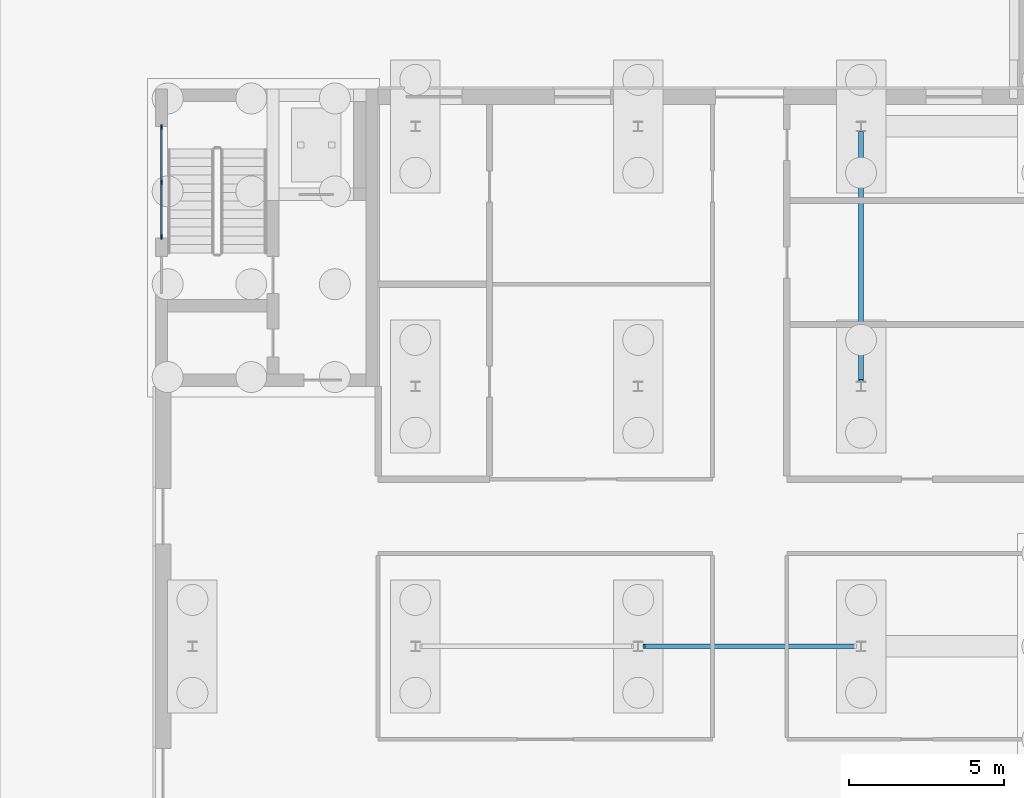
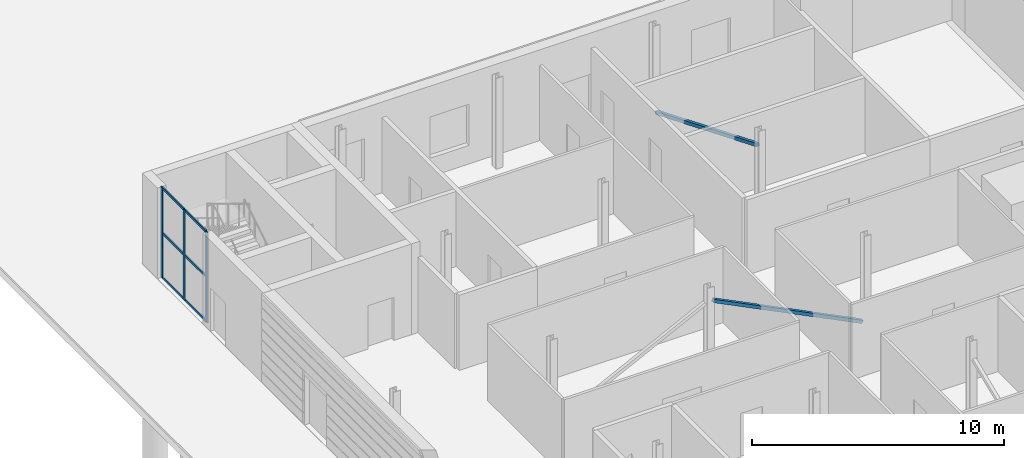
# One storey, part 25 of 139: 11 members, 1 element without a shape of its own.
"""IFC4 building model written with IfcOpenShell, lengths in metres."""

import ifcopenshell
import ifcopenshell.guid

model = None  # the IFC model being written
_history = None  # IfcOwnerHistory: only IFC2X3 demands one
_inside = {}  # id of a spatial element -> (the spatial element, [elements in it])
_under = {}  # id of a project, library or spatial element -> (it, [spatial elements below it])
_declared = {}  # id of a project -> (the project, [libraries it declares])
_typed = {}  # id of a type object -> (the type object, [elements of that type])
_made_of = {}  # id of a material, layer set ... -> (it, [elements and type objects made of it])


def new_model(schema):
    """Start an empty IFC model of exactly this schema.

    Asked for "IFC4X3", IfcOpenShell would pick the latest addendum, in which some entities
    have other attributes; the version numbers below select the first issue.
    IFC2X3 requires an IfcOwnerHistory on every rooted entity: one is made here for all.
    """
    global model, _history
    if schema == "IFC4X3":
        model = ifcopenshell.file(schema_version=(4, 3, 0, 0))
    else:
        model = ifcopenshell.file(schema=schema)
    _inside.clear()
    _under.clear()
    _declared.clear()
    _typed.clear()
    _made_of.clear()
    _history = None
    if model.schema == "IFC2X3":
        org = make("IfcOrganization", Name="unknown")
        user = make(
            "IfcPersonAndOrganization",
            ThePerson=make("IfcPerson", FamilyName="unknown"),
            TheOrganization=org,
        )
        app = make(
            "IfcApplication",
            ApplicationDeveloper=org,
            Version="unknown",
            ApplicationFullName="unknown",
            ApplicationIdentifier="unknown",
        )
        _history = make(
            "IfcOwnerHistory",
            OwningUser=user,
            OwningApplication=app,
            ChangeAction="ADDED",
            CreationDate=0,
        )
    return model


def make(cls, **values):
    """One entity of the class cls with the attributes given. An attribute that is None is left unset."""
    return model.create_entity(
        cls, **{name: value for name, value in values.items() if value is not None}
    )


def rooted(cls, **values):
    """An entity with a GlobalId (a new one), such as an element, a storey or a relation."""
    return make(cls, GlobalId=ifcopenshell.guid.new(), OwnerHistory=_history, **values)


def si_unit(unit_type, name, prefix=None):
    """IfcSIUnit, for example si_unit("LENGTHUNIT", "METRE", prefix="MILLI")."""
    return make("IfcSIUnit", UnitType=unit_type, Prefix=prefix, Name=name)


def assignment(units):
    """IfcUnitAssignment: the units of a project."""
    return None if units is None else make("IfcUnitAssignment", Units=units)


def point(xyz):
    """IfcCartesianPoint."""
    return None if xyz is None else make("IfcCartesianPoint", Coordinates=xyz)


def direction(xyz):
    """IfcDirection."""
    return None if xyz is None else make("IfcDirection", DirectionRatios=xyz)


def frame(location, z_axis=None, x_axis=None):
    """IfcAxis2Placement3D, a coordinate frame: its origin and axes. An axis left out is left unset."""
    return make(
        "IfcAxis2Placement3D",
        Location=point(location),
        Axis=direction(z_axis),
        RefDirection=direction(x_axis),
    )


def frame_2d(location, x_axis=None):
    """IfcAxis2Placement2D, a coordinate frame in the plane: its origin and x axis."""
    return make(
        "IfcAxis2Placement2D", Location=point(location), RefDirection=direction(x_axis)
    )


def origin():
    """The frame at (0, 0, 0) with its axes left unset."""
    return frame((0.0, 0.0, 0.0))


def origin_2d():
    """The frame at (0, 0) in the plane with its x axis left unset."""
    return frame_2d((0.0, 0.0))


def place(relative_to, where):
    """IfcLocalPlacement: puts the frame where relative to a parent placement (None: the world)."""
    return make(
        "IfcLocalPlacement", PlacementRelTo=relative_to, RelativePlacement=where
    )


def context(
    kind, dimensions, precision=None, world=None, true_north=None, identifier=None
):
    """IfcGeometricRepresentationContext, for example the 3D "Model" context."""
    return make(
        "IfcGeometricRepresentationContext",
        ContextIdentifier=identifier,
        ContextType=kind,
        CoordinateSpaceDimension=dimensions,
        Precision=precision,
        WorldCoordinateSystem=world,
        TrueNorth=true_north,
    )


def subcontext(parent, identifier, kind, view, scale=None):
    """IfcGeometricRepresentationSubContext, for example "Body" below "Model"."""
    return make(
        "IfcGeometricRepresentationSubContext",
        ContextIdentifier=identifier,
        ContextType=kind,
        ParentContext=parent,
        TargetScale=scale,
        TargetView=view,
    )


def project(units=None, contexts=None):
    """IfcProject with its units and contexts."""
    return rooted(
        "IfcProject",
        Name="project",
        RepresentationContexts=contexts,
        UnitsInContext=assignment(units),
    )


def spatial(cls, under=None, at=None, **own):
    """A site, building, storey or space (cls), placed at a placement, below another one or the project."""
    s = rooted(cls, ObjectPlacement=at, **own)
    if under is not None:
        _under.setdefault(under.id(), (under, []))[1].append(s)
    return s


def profile(cls, at=None, kind="AREA", **sizes):
    """A parametric profile (cls). Its sizes go by their IFC names, for example OverallWidth=200.0."""
    return make(cls, ProfileType=kind, Position=at, **sizes)


def rectangle(**sizes):
    """IfcRectangleProfileDef."""
    return profile("IfcRectangleProfileDef", **sizes)


def hollow_rectangle(**sizes):
    """IfcRectangleHollowProfileDef."""
    return profile("IfcRectangleHollowProfileDef", **sizes)


def extrude(swept, where, along, depth):
    """IfcExtrudedAreaSolid: the profile swept, set in the frame where, extruded along a direction by depth."""
    return make(
        "IfcExtrudedAreaSolid",
        SweptArea=swept,
        Position=where,
        ExtrudedDirection=direction(along),
        Depth=depth,
    )


def shape(context_of_items, identifier, shape_type, items):
    """IfcShapeRepresentation: the items that make up one representation, for example the "Body"."""
    return make(
        "IfcShapeRepresentation",
        ContextOfItems=context_of_items,
        RepresentationIdentifier=identifier,
        RepresentationType=shape_type,
        Items=items,
    )


def material(Name=None, Category=None):
    """IfcMaterial."""
    return make("IfcMaterial", Name=Name, Category=Category)


def material_profile(
    of_material, cross_section, Name=None, Category=None, Priority=None
):
    """IfcMaterialProfile: a cross section and its material."""
    return make(
        "IfcMaterialProfile",
        Name=Name,
        Material=of_material,
        Profile=cross_section,
        Priority=Priority,
        Category=Category,
    )


def profile_set(profiles, Name=None, composite=None):
    """IfcMaterialProfileSet."""
    return make(
        "IfcMaterialProfileSet",
        Name=Name,
        MaterialProfiles=profiles,
        CompositeProfile=composite,
    )


def made_of(thing, what):
    """Note that an element or type object is made of a material, layer set ...; save() writes the relation."""
    if what is not None:
        _made_of.setdefault(what.id(), (what, []))[1].append(thing)
    return thing


def type_object(cls, material=None, **own):
    """A type object (cls), such as IfcWallType, which elements share."""
    return made_of(rooted(cls, **own), material)


def element(
    cls,
    number,
    at=None,
    inside=None,
    cuts=None,
    type_object=None,
    material=None,
    context=None,
    identifier="Body",
    shape_type=None,
    held_by="IfcProductDefinitionShape",
    body=None,
    shapes=None,
    **own,
):
    """One element of the class cls, such as IfcWall. Its Tag is "e" and its number.

    at: its placement. inside: the storey or other place that contains it. cuts: it is an
    opening in that element (IfcRelVoidsElement). A single representation is given by context,
    identifier, shape_type and body (its items); several are given by shapes. held_by: the class
    of the entity that holds the representations. save() writes the other relations.
    """
    e = rooted(cls, Tag="e%d" % number, ObjectPlacement=at, **own)
    if body is not None:
        shapes = [shape(context, identifier, shape_type, body)]
    if shapes is not None:
        e.Representation = make(held_by, Representations=shapes)
    if inside is not None:
        _inside.setdefault(inside.id(), (inside, []))[1].append(e)
    if cuts is not None:
        rooted(
            "IfcRelVoidsElement", RelatingBuildingElement=cuts, RelatedOpeningElement=e
        )
    if type_object is not None:
        _typed.setdefault(type_object.id(), (type_object, []))[1].append(e)
    return made_of(e, material)


def aggregate(whole, parts):
    """IfcRelAggregates: a whole, such as a stair, and the parts it consists of."""
    return rooted("IfcRelAggregates", RelatingObject=whole, RelatedObjects=parts)


def save(model, path):
    """Write the relations noted so far, then the file.

    IfcRelAggregates (storeys below a building ...), IfcRelContainedInSpatialStructure (elements
    in a storey), IfcRelDefinesByType, IfcRelAssociatesMaterial and IfcRelDeclares: one each for
    every whole, place, type object, material and project.
    """
    for whole, parts in _under.values():
        aggregate(whole, parts)
    for where, things in _inside.values():
        rooted(
            "IfcRelContainedInSpatialStructure",
            RelatedElements=things,
            RelatingStructure=where,
        )
    for kind, things in _typed.values():
        rooted("IfcRelDefinesByType", RelatedObjects=things, RelatingType=kind)
    for what, things in _made_of.values():
        rooted("IfcRelAssociatesMaterial", RelatedObjects=things, RelatingMaterial=what)
    for by, libraries in _declared.values():
        rooted("IfcRelDeclares", RelatingContext=by, RelatedDefinitions=libraries)
    model.write(path)


model = new_model("IFC4")

# Units and contexts
model_context = context("Model", 3, precision=1e-05, world=origin(), true_north=direction((0.0, 1.0)))
body_context = subcontext(model_context, "Body", "Model", "MODEL_VIEW")
ifc_project = project(units=[si_unit("LENGTHUNIT", "METRE"), si_unit("AREAUNIT", "SQUARE_METRE"), si_unit("VOLUMEUNIT", "CUBIC_METRE"), si_unit("PLANEANGLEUNIT", "RADIAN"), si_unit("MASSUNIT", "GRAM", prefix="KILO")], contexts=[model_context])

# Site, building, storey
site_placement = place(None, origin())
site = spatial("IfcSite", under=ifc_project, at=site_placement, CompositionType="ELEMENT")
building_placement = place(site_placement, origin())
building = spatial("IfcBuilding", under=site, at=building_placement, Name="Verrick Yard Athletic Hall", CompositionType="ELEMENT")
storey_placement = place(building_placement, origin())
storey = spatial("IfcBuildingStorey", under=building, at=storey_placement, Name="L00", CompositionType="ELEMENT", Elevation=0.0)

# Curtain wall, members
ifc_material_1 = material(Name="Aluminium 6063-T5", Category="aluminium")
curtain_wall_type = type_object("IfcCurtainWallType", Name="Core glazing strip", PredefinedType="NOTDEFINED", material=ifc_material_1)
curtain_wall_placement = place(storey_placement, origin())
curtain_wall = element("IfcCurtainWall", 1, at=curtain_wall_placement, inside=storey, type_object=curtain_wall_type, Name="CORE-CB2-CW-L00", PredefinedType="NOTDEFINED")
ifc_material_profile_1 = material_profile(ifc_material_1, rectangle(XDim=0.06005859375, YDim=0.159912109375, at=origin_2d()), Name="Core glazing mullion 60x160")
ifc_profile_set_1 = profile_set([ifc_material_profile_1], Name="Aluminium 6063-T5")
member_type_1 = type_object("IfcMemberType", Name="Core glazing mullion 60x160", PredefinedType="MULLION", material=ifc_profile_set_1)
member_1_placement = place(storey_placement, frame((10.199951171875, 49.22998046875, 0.0), z_axis=(0.0, 0.0, 1.0), x_axis=(-1.0, 0.0, 0.0)))
member_1 = element("IfcMember", 2, at=member_1_placement, type_object=member_type_1, Name="CW5 mullion 1", PredefinedType="MULLION", context=body_context, shape_type="SweptSolid", body=[
    extrude(rectangle(XDim=0.06005859375, YDim=0.159912109375, at=origin_2d()), origin(), (0.0, 0.0, 1.0), 4.39990234375),
])
member_2_placement = place(storey_placement, frame((10.199951171875, 51.0, 0.0), z_axis=(0.0, 0.0, 1.0), x_axis=(-1.0, 0.0, 0.0)))
member_2 = element("IfcMember", 3, at=member_2_placement, type_object=member_type_1, Name="CW5 mullion 2", PredefinedType="MULLION", context=body_context, shape_type="SweptSolid", body=[
    extrude(rectangle(XDim=0.06005859375, YDim=0.159912109375, at=origin_2d()), origin(), (0.0, 0.0, 1.0), 4.39990234375),
])
member_3_placement = place(storey_placement, frame((10.199951171875, 52.77001953125, 0.0), z_axis=(0.0, 0.0, 1.0), x_axis=(-1.0, 0.0, 0.0)))
member_3 = element("IfcMember", 4, at=member_3_placement, type_object=member_type_1, Name="CW5 mullion 3", PredefinedType="MULLION", context=body_context, shape_type="SweptSolid", body=[
    extrude(rectangle(XDim=0.06005859375, YDim=0.159912109375, at=origin_2d()), origin(), (0.0, 0.0, 1.0), 4.39990234375),
])
ifc_material_profile_2 = material_profile(ifc_material_1, rectangle(XDim=0.06005859375, YDim=0.1201171875, at=origin_2d()), Name="Core glazing transom 60x120")
ifc_profile_set_2 = profile_set([ifc_material_profile_2], Name="Aluminium 6063-T5")
member_type_2 = type_object("IfcMemberType", Name="Core glazing transom 60x120", PredefinedType="USERDEFINED", material=ifc_profile_set_2)
member_4_placement = place(storey_placement, frame((10.199951171875, 49.260009765625, 0.030029296875), z_axis=(0.0, 1.0, 0.0), x_axis=(-1.0, 0.0, 0.0)))
member_4 = element("IfcMember", 5, at=member_4_placement, type_object=member_type_2, Name="CW5 transom 1.1", ObjectType="TRANSOM", PredefinedType="USERDEFINED", context=body_context, shape_type="SweptSolid", body=[
    extrude(rectangle(XDim=0.06005859375, YDim=0.1201171875, at=origin_2d()), origin(), (0.0, 0.0, 1.0), 1.7099609375),
])
member_5_placement = place(storey_placement, frame((10.199951171875, 49.260009765625, 2.199951171875), z_axis=(0.0, 1.0, 0.0), x_axis=(-1.0, 0.0, 0.0)))
member_5 = element("IfcMember", 6, at=member_5_placement, type_object=member_type_2, Name="CW5 transom 1.2", ObjectType="TRANSOM", PredefinedType="USERDEFINED", context=body_context, shape_type="SweptSolid", body=[
    extrude(rectangle(XDim=0.06005859375, YDim=0.1201171875, at=origin_2d()), origin(), (0.0, 0.0, 1.0), 1.7099609375),
])
member_6_placement = place(storey_placement, frame((10.199951171875, 49.260009765625, 4.3701171875), z_axis=(0.0, 1.0, 0.0), x_axis=(-1.0, 0.0, 0.0)))
member_6 = element("IfcMember", 7, at=member_6_placement, type_object=member_type_2, Name="CW5 transom 1.3", ObjectType="TRANSOM", PredefinedType="USERDEFINED", context=body_context, shape_type="SweptSolid", body=[
    extrude(rectangle(XDim=0.06005859375, YDim=0.1201171875, at=origin_2d()), origin(), (0.0, 0.0, 1.0), 1.7099609375),
])
member_7_placement = place(storey_placement, frame((10.199951171875, 51.030029296875, 0.030029296875), z_axis=(0.0, 1.0, 0.0), x_axis=(-1.0, 0.0, 0.0)))
member_7 = element("IfcMember", 8, at=member_7_placement, type_object=member_type_2, Name="CW5 transom 2.1", ObjectType="TRANSOM", PredefinedType="USERDEFINED", context=body_context, shape_type="SweptSolid", body=[
    extrude(rectangle(XDim=0.06005859375, YDim=0.1201171875, at=origin_2d()), origin(), (0.0, 0.0, 1.0), 1.7099609375),
])
member_8_placement = place(storey_placement, frame((10.199951171875, 51.030029296875, 2.199951171875), z_axis=(0.0, 1.0, 0.0), x_axis=(-1.0, 0.0, 0.0)))
member_8 = element("IfcMember", 9, at=member_8_placement, type_object=member_type_2, Name="CW5 transom 2.2", ObjectType="TRANSOM", PredefinedType="USERDEFINED", context=body_context, shape_type="SweptSolid", body=[
    extrude(rectangle(XDim=0.06005859375, YDim=0.1201171875, at=origin_2d()), origin(), (0.0, 0.0, 1.0), 1.7099609375),
])
member_9_placement = place(storey_placement, frame((10.199951171875, 51.030029296875, 4.3701171875), z_axis=(0.0, 1.0, 0.0), x_axis=(-1.0, 0.0, 0.0)))
member_9 = element("IfcMember", 10, at=member_9_placement, type_object=member_type_2, Name="CW5 transom 2.3", ObjectType="TRANSOM", PredefinedType="USERDEFINED", context=body_context, shape_type="SweptSolid", body=[
    extrude(rectangle(XDim=0.06005859375, YDim=0.1201171875, at=origin_2d()), origin(), (0.0, 0.0, 1.0), 1.7099609375),
])
aggregate(curtain_wall, [member_1, member_2, member_3, member_4, member_5, member_6, member_7, member_8, member_9])

# Members
ifc_material_2 = material(Name="Structural steel HSS Class C 350W (CSA G40.20/G40.21)", Category="steel")
ifc_material_profile_3 = material_profile(ifc_material_2, hollow_rectangle(XDim=0.15234375, YDim=0.15234375, WallThickness=0.009521484375, at=origin_2d()), Name="HSS152x152x9.5")
ifc_profile_set_3 = profile_set([ifc_material_profile_3], Name="Structural steel HSS Class C 350W (CSA G40.20/G40.21)")
member_type_3 = type_object("IfcMemberType", Name="STR Wing brace HSS152x152x9.5", PredefinedType="BRACE", material=ifc_profile_set_3)
member_10_placement = place(storey_placement, frame((25.78759765625, 36.0, 3.62646484375), z_axis=(0.894555158248, 0.0, -0.446957569409), x_axis=(0.0, 1.0, 0.0)))
element("IfcMember", 11, at=member_10_placement, inside=storey, type_object=member_type_3, Name="STR-BR-W2-L00", PredefinedType="BRACE", context=body_context, shape_type="SweptSolid", body=[
    extrude(hollow_rectangle(XDim=0.15234375, YDim=0.15234375, WallThickness=0.009521484375, at=origin_2d()), origin(), (0.0, 0.0, 1.0), 7.629150390625),
])
member_11_placement = place(storey_placement, frame((32.800048828125, 44.589599609375, 3.50537109375), z_axis=(0.0, 0.925035720113, -0.379880134405), x_axis=(-1.0, 0.0, 0.0)))
element("IfcMember", 12, at=member_11_placement, inside=storey, type_object=member_type_3, Name="STR-BR-W4-L00", PredefinedType="BRACE", context=body_context, shape_type="SweptSolid", body=[
    extrude(hollow_rectangle(XDim=0.15234375, YDim=0.15234375, WallThickness=0.009521484375, at=origin_2d()), origin(), (0.0, 0.0, 1.0), 8.6708984375),
])

save(model, "model.ifc")
